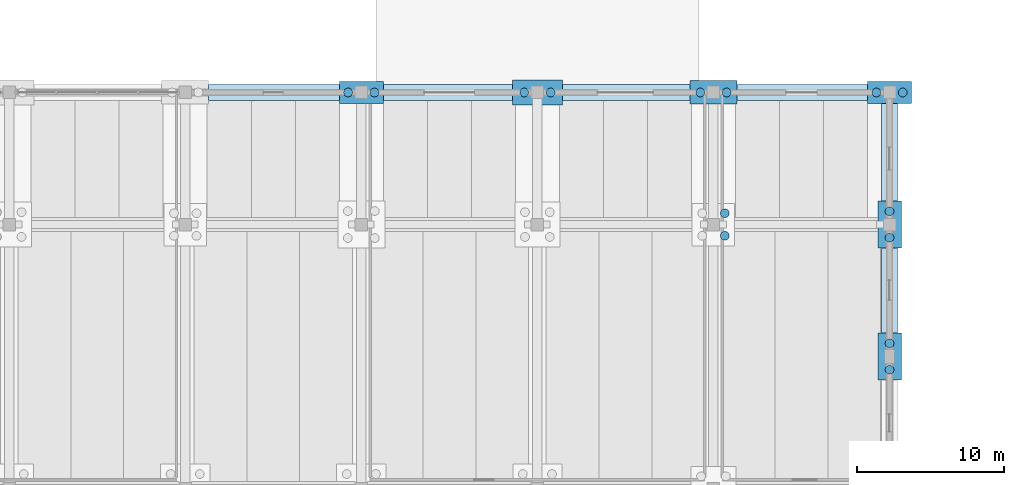
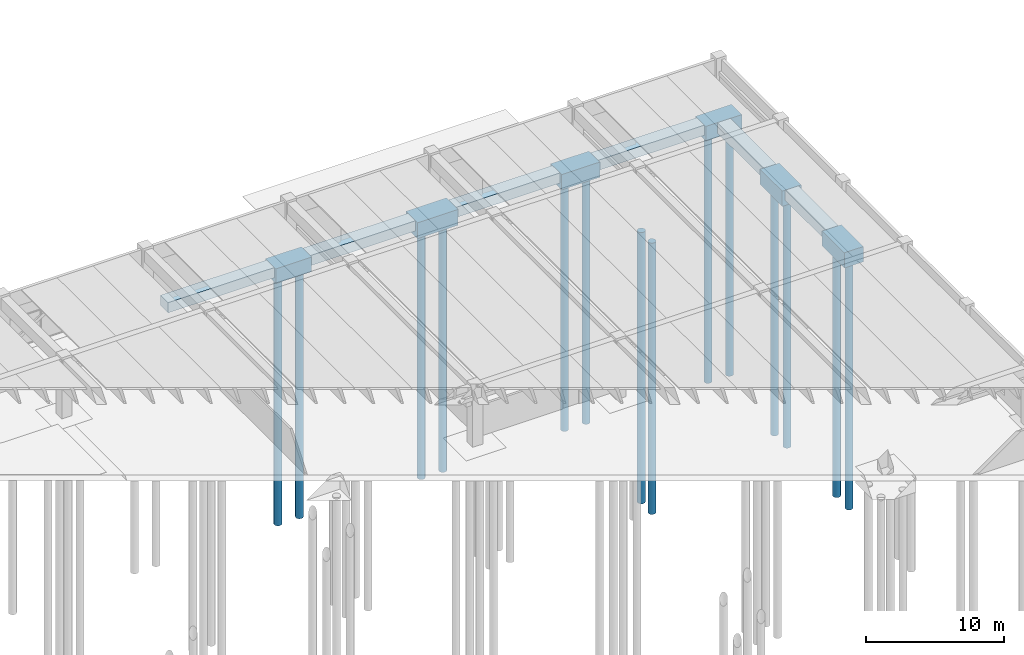
# One storey, part 5 of 59: 14 piles, 12 footings.
"""IFC4 building model written with IfcOpenShell, lengths in metres."""

from ifc_helpers import new_model, si_unit, direction, frame, origin, origin_2d, place, context, subcontext, project, spatial, rectangle, circle, extrude, material, material_profile, profile_set, type_object, element, save


model = new_model("IFC4")

# Units and contexts
model_context = context("Model", 3, precision=1e-05, world=origin(), true_north=direction((0.0, 1.0)))
body_context = subcontext(model_context, "Body", "Model", "MODEL_VIEW")
ifc_project = project(units=[si_unit("LENGTHUNIT", "METRE"), si_unit("AREAUNIT", "SQUARE_METRE"), si_unit("VOLUMEUNIT", "CUBIC_METRE"), si_unit("PLANEANGLEUNIT", "RADIAN"), si_unit("MASSUNIT", "GRAM", prefix="KILO")], contexts=[model_context])

# Site, building, storey
site_placement = place(None, origin())
site = spatial("IfcSite", under=ifc_project, at=site_placement, CompositionType="ELEMENT")
building_placement = place(site_placement, origin())
building = spatial("IfcBuilding", under=site, at=building_placement, Name="Girod Span Mobility Hub", CompositionType="ELEMENT")
storey_placement = place(building_placement, origin())
storey = spatial("IfcBuildingStorey", under=building, at=storey_placement, Name="L00", CompositionType="ELEMENT", Elevation=0.0)

# Footings
ifc_material_1 = material(Name="Concrete C40/50", Category="concrete")
footing_type_1 = type_object("IfcFootingType", Name="FT-PC2-1600X3200", PredefinedType="PILE_CAP", material=ifc_material_1)
for number, where, z_axis, x_axis, name in (
    (1, (168.0, 105.0, -1.35009765625), (0.0, 0.0, 1.0), (1.0, 0.0, 0.0), "Pile Cap 15H"),
    (2, (168.0, 96.0, -1.35009765625), (0.0, 0.0, 1.0), (1.0, 0.0, 0.0), "Pilaster Pile Cap PIL-E-96"),
):
    element("IfcFooting", number, at=place(storey_placement, frame(where, z_axis=z_axis, x_axis=x_axis)), inside=storey, type_object=footing_type_1, Name=name, PredefinedType="PILE_CAP", context=body_context, shape_type="SweptSolid", body=[
        extrude(rectangle(XDim=1.60009765625, YDim=3.199951171875, at=origin_2d()), origin(), (0.0, 0.0, 1.0), 1.35009765625),
    ])
ifc_material_2 = material(Name="Concrete C40/50", Category="concrete")
footing_type_2 = type_object("IfcFootingType", Name="FT-PC2-3000X1500", PredefinedType="PILE_CAP", material=ifc_material_2)
for number, where, z_axis, x_axis, name in (
    (3, (132.0, 114.0, -1.2998046875), (0.0, 0.0, 1.0), (1.0, 0.0, 0.0), "Pile Cap 12J"),
    (4, (168.0, 114.0, -1.2998046875), (0.0, 0.0, 1.0), (1.0, 0.0, 0.0), "Pile Cap 15J"),
):
    element("IfcFooting", number, at=place(storey_placement, frame(where, z_axis=z_axis, x_axis=x_axis)), inside=storey, type_object=footing_type_2, Name=name, PredefinedType="PILE_CAP", context=body_context, shape_type="SweptSolid", body=[
        extrude(rectangle(XDim=3.0, YDim=1.5, at=origin_2d()), origin(), (0.0, 0.0, 1.0), 1.300048828125),
    ])
ifc_material_3 = material(Name="Concrete C40/50", Category="concrete")
footing_type_3 = type_object("IfcFootingType", Name="FT-PC2-3200X1600", PredefinedType="PILE_CAP", material=ifc_material_3)
footing_1_placement = place(storey_placement, frame((156.0, 114.0, -1.35009765625), z_axis=(0.0, 0.0, 1.0), x_axis=(1.0, 0.0, 0.0)))
element("IfcFooting", 5, at=footing_1_placement, inside=storey, type_object=footing_type_3, Name="Pile Cap 14J", PredefinedType="PILE_CAP", context=body_context, shape_type="SweptSolid", body=[
    extrude(rectangle(XDim=3.199951171875, YDim=1.60009765625, at=origin_2d()), origin(), (0.0, 0.0, 1.0), 1.35009765625),
])
ifc_material_4 = material(Name="Concrete C40/50", Category="concrete")
footing_type_4 = type_object("IfcFootingType", Name="FT-PC2-3400X1700", PredefinedType="PILE_CAP", material=ifc_material_4)
footing_2_placement = place(storey_placement, frame((144.0, 114.0, -1.39990234375), z_axis=(0.0, 0.0, 1.0), x_axis=(1.0, 0.0, 0.0)))
element("IfcFooting", 6, at=footing_2_placement, inside=storey, type_object=footing_type_4, Name="Pile Cap 13J", PredefinedType="PILE_CAP", context=body_context, shape_type="SweptSolid", body=[
    extrude(rectangle(XDim=3.39990234375, YDim=1.699951171875, at=origin_2d()), origin(), (0.0, 0.0, 1.0), 1.39990234375),
])
ifc_material_5 = material(Name="Concrete C40/50", Category="concrete")
footing_type_5 = type_object("IfcFootingType", Name="FT-SF-X900", PredefinedType="STRIP_FOOTING", material=ifc_material_5)
footing_3_placement = place(storey_placement, frame((126.050048828125, 114.0, -0.89990234375), z_axis=(0.0, 0.0, 1.0), x_axis=(1.0, 0.0, 0.0)))
element("IfcFooting", 7, at=footing_3_placement, inside=storey, type_object=footing_type_5, Name="Perimeter Strip Footing SF-25", PredefinedType="STRIP_FOOTING", context=body_context, shape_type="SweptSolid", body=[
    extrude(rectangle(XDim=8.89990234375, YDim=1.10009765625, at=origin_2d()), origin(), (0.0, 0.0, 1.0), 0.89990234375),
])
footing_4_placement = place(storey_placement, frame((137.89990234375, 114.0, -0.89990234375), z_axis=(0.0, 0.0, 1.0), x_axis=(1.0, 0.0, 0.0)))
element("IfcFooting", 8, at=footing_4_placement, inside=storey, type_object=footing_type_5, Name="Perimeter Strip Footing SF-26", PredefinedType="STRIP_FOOTING", context=body_context, shape_type="SweptSolid", body=[
    extrude(rectangle(XDim=8.800048828125, YDim=1.10009765625, at=origin_2d()), origin(), (0.0, 0.0, 1.0), 0.89990234375),
])
footing_5_placement = place(storey_placement, frame((150.050048828125, 114.0, -0.89990234375), z_axis=(0.0, 0.0, 1.0), x_axis=(1.0, 0.0, 0.0)))
element("IfcFooting", 9, at=footing_5_placement, inside=storey, type_object=footing_type_5, Name="Perimeter Strip Footing SF-27", PredefinedType="STRIP_FOOTING", context=body_context, shape_type="SweptSolid", body=[
    extrude(rectangle(XDim=8.699951171875, YDim=1.10009765625, at=origin_2d()), origin(), (0.0, 0.0, 1.0), 0.89990234375),
])
footing_6_placement = place(storey_placement, frame((162.050048828125, 114.0, -0.89990234375), z_axis=(0.0, 0.0, 1.0), x_axis=(1.0, 0.0, 0.0)))
element("IfcFooting", 10, at=footing_6_placement, inside=storey, type_object=footing_type_5, Name="Perimeter Strip Footing SF-28", PredefinedType="STRIP_FOOTING", context=body_context, shape_type="SweptSolid", body=[
    extrude(rectangle(XDim=8.89990234375, YDim=1.10009765625, at=origin_2d()), origin(), (0.0, 0.0, 1.0), 0.89990234375),
])
ifc_material_6 = material(Name="Concrete C40/50", Category="concrete")
footing_type_6 = type_object("IfcFootingType", Name="FT-SF-Y900", PredefinedType="STRIP_FOOTING", material=ifc_material_6)
footing_7_placement = place(storey_placement, frame((168.0, 100.5, -0.89990234375), z_axis=(0.0, 0.0, 1.0), x_axis=(1.0, 0.0, 0.0)))
element("IfcFooting", 11, at=footing_7_placement, inside=storey, type_object=footing_type_6, Name="Perimeter Strip Footing SF-51", PredefinedType="STRIP_FOOTING", context=body_context, shape_type="SweptSolid", body=[
    extrude(rectangle(XDim=1.10009765625, YDim=5.800048828125, at=origin_2d()), origin(), (0.0, 0.0, 1.0), 0.89990234375),
])
footing_8_placement = place(storey_placement, frame((168.0, 109.925048828125, -0.89990234375), z_axis=(0.0, 0.0, 1.0), x_axis=(1.0, 0.0, 0.0)))
element("IfcFooting", 12, at=footing_8_placement, inside=storey, type_object=footing_type_6, Name="Perimeter Strip Footing SF-52", PredefinedType="STRIP_FOOTING", context=body_context, shape_type="SweptSolid", body=[
    extrude(rectangle(XDim=1.10009765625, YDim=6.64990234375, at=origin_2d()), origin(), (0.0, 0.0, 1.0), 0.89990234375),
])

# Piles
ifc_material_7 = material(Name="Concrete C40/50", Category="concrete")
ifc_material_profile_1 = material_profile(ifc_material_7, circle(Radius=0.300048828125, at=origin_2d()), Name="PILE-D600")
ifc_profile_set_1 = profile_set([ifc_material_profile_1], Name="Concrete C40/50")
pile_type_1 = type_object("IfcPileType", Name="PL-D600-22M", PredefinedType="DRIVEN", material=ifc_profile_set_1)
for number, where, z_axis, x_axis, name in (
    (13, (131.10009765625, 114.0, -1.199951171875), (0.0, 0.0, -1.0), (1.0, 0.0, 0.0), "Driven Pile 12J-1"),
    (14, (132.89990234375, 114.0, -1.199951171875), (0.0, 0.0, -1.0), (1.0, 0.0, 0.0), "Driven Pile 12J-2"),
    (15, (143.10009765625, 114.0, -1.300048828125), (0.0, 0.0, -1.0), (1.0, 0.0, 0.0), "Driven Pile 13J-1"),
    (16, (144.89990234375, 114.0, -1.300048828125), (0.0, 0.0, -1.0), (1.0, 0.0, 0.0), "Driven Pile 13J-2"),
    (17, (155.10009765625, 114.0, -1.25), (0.0, 0.0, -1.0), (1.0, 0.0, 0.0), "Driven Pile 14J-1"),
    (18, (156.89990234375, 114.0, -1.25), (0.0, 0.0, -1.0), (1.0, 0.0, 0.0), "Driven Pile 14J-2"),
    (19, (168.0, 104.10009765625, -1.25), (0.0, 0.0, -1.0), (1.0, 0.0, 0.0), "Driven Pile 15H-1"),
    (20, (168.0, 105.89990234375, -1.25), (0.0, 0.0, -1.0), (1.0, 0.0, 0.0), "Driven Pile 15H-2"),
    (21, (167.10009765625, 114.0, -1.199951171875), (0.0, 0.0, -1.0), (1.0, 0.0, 0.0), "Driven Pile 15J-1"),
    (22, (168.89990234375, 114.0, -1.199951171875), (0.0, 0.0, -1.0), (1.0, 0.0, 0.0), "Driven Pile 15J-2"),
    (23, (168.0, 95.10009765625, -1.25), (0.0, 0.0, -1.0), (1.0, 0.0, 0.0), "Pilaster Driven Pile PIL-E-96-1"),
    (24, (168.0, 96.89990234375, -1.25), (0.0, 0.0, -1.0), (1.0, 0.0, 0.0), "Pilaster Driven Pile PIL-E-96-2"),
):
    element("IfcPile", number, at=place(storey_placement, frame(where, z_axis=z_axis, x_axis=x_axis)), inside=storey, type_object=pile_type_1, Name=name, PredefinedType="DRIVEN", context=body_context, shape_type="SweptSolid", body=[
        extrude(circle(Radius=0.300048828125, at=origin_2d()), origin(), (0.0, 0.0, 1.0), 22.0),
    ])
ifc_material_8 = material(Name="Concrete C40/50", Category="concrete")
ifc_material_profile_2 = material_profile(ifc_material_8, circle(Radius=0.300048828125, at=origin_2d()), Name="PILE-D600")
ifc_profile_set_2 = profile_set([ifc_material_profile_2], Name="Concrete C40/50")
pile_type_2 = type_object("IfcPileType", Name="PL-D600-24M", PredefinedType="DRIVEN", material=ifc_profile_set_2)
for number, where, z_axis, x_axis, name in (
    (25, (156.77001953125, 104.22998046875, -1.25), (0.0, 0.0, -1.0), (1.0, 0.0, 0.0), "Driven Pile 14H-2"),
    (26, (156.77001953125, 105.77001953125, -1.25), (0.0, 0.0, -1.0), (1.0, 0.0, 0.0), "Driven Pile 14H-4"),
):
    element("IfcPile", number, at=place(storey_placement, frame(where, z_axis=z_axis, x_axis=x_axis)), inside=storey, type_object=pile_type_2, Name=name, PredefinedType="DRIVEN", context=body_context, shape_type="SweptSolid", body=[
        extrude(circle(Radius=0.300048828125, at=origin_2d()), origin(), (0.0, 0.0, 1.0), 24.0),
    ])

save(model, "model.ifc")
